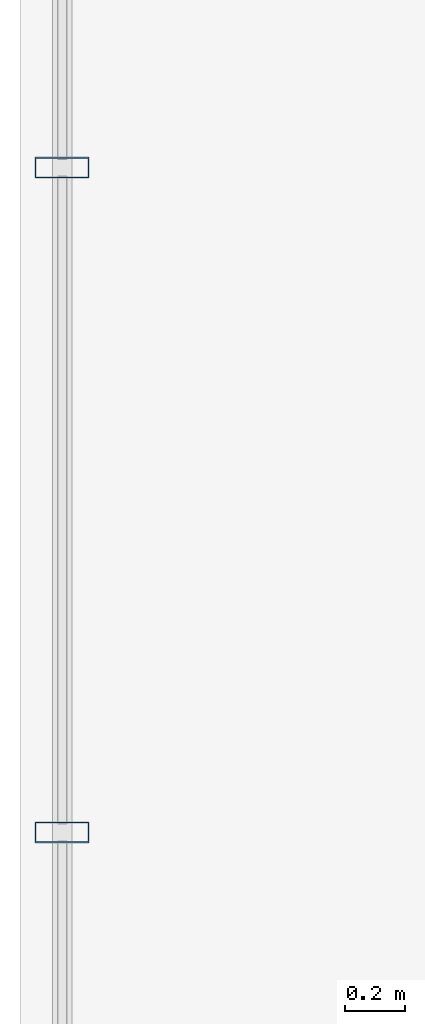
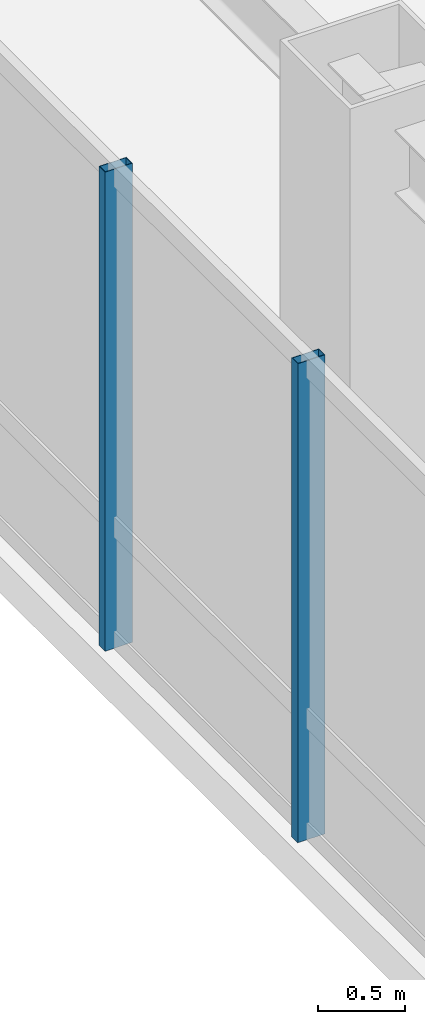
# One storey, part 6 of 26: 2 members, 1 element without a shape of its own.
"""IFC4 building model written with IfcOpenShell, lengths in metres."""

from ifc_helpers import new_model, si_unit, direction, frame, origin, origin_2d, place, context, subcontext, project, spatial, hollow_rectangle, extrude, material, layer, layer_set, material_profile, profile_set, type_object, element, aggregate, save


model = new_model("IFC4")

# Units and contexts
model_context = context("Model", 3, precision=1e-05, world=origin(), true_north=direction((0.0, 1.0)))
body_context = subcontext(model_context, "Body", "Model", "MODEL_VIEW")
ifc_project = project(units=[si_unit("LENGTHUNIT", "METRE"), si_unit("AREAUNIT", "SQUARE_METRE"), si_unit("VOLUMEUNIT", "CUBIC_METRE"), si_unit("PLANEANGLEUNIT", "RADIAN"), si_unit("MASSUNIT", "GRAM", prefix="KILO")], contexts=[model_context])

# Site, building, storey
site_placement = place(None, origin())
site = spatial("IfcSite", under=ifc_project, at=site_placement, CompositionType="ELEMENT")
building_placement = place(site_placement, origin())
building = spatial("IfcBuilding", under=site, at=building_placement, Name="Hatsunagi Terrace Concourse", CompositionType="ELEMENT")
storey_placement = place(building_placement, frame((0.0, 0.0, 152.85009765625)))
storey = spatial("IfcBuildingStorey", under=building, at=storey_placement, Name="L40", CompositionType="ELEMENT", Elevation=152.85009765625)

# Curtain wall, members
ifc_material_1 = material(Name="Anodised Aluminium Alloy 6063-T5", Category="aluminium")
ifc_layer = layer(ifc_material_1, 0.199951171875)
ifc_layer_set = layer_set([ifc_layer], Name="OfficeZone1_CW03")
curtain_wall_type = type_object("IfcCurtainWallType", Name="OfficeZone1_CW03", PredefinedType="NOTDEFINED", material=ifc_layer_set)
curtain_wall_placement = place(storey_placement, origin())
curtain_wall = element("IfcCurtainWall", 1, at=curtain_wall_placement, inside=storey, type_object=curtain_wall_type, Name="Unitised Curtain Wall CW-03 CW-L40-09", PredefinedType="NOTDEFINED")
ifc_material_2 = material(Name="Anodised Aluminium Alloy 6063-T5", Category="aluminium")
ifc_material_profile = material_profile(ifc_material_2, hollow_rectangle(XDim=0.070068359375, YDim=0.179931640625, WallThickness=0.00390625, at=origin_2d()), Name="ALU-MUL-180x70x4")
ifc_profile_set = profile_set([ifc_material_profile], Name="Anodised Aluminium Alloy 6063-T5")
member_type = type_object("IfcMemberType", Name="CurtainWallMullion_180x70", PredefinedType="MULLION", material=ifc_profile_set)
member_1_placement = place(storey_placement, frame((9.739990234375, 34.69189453125, 0.0), z_axis=(0.0, 0.0, 1.0), x_axis=(0.0, 1.0, 0.0)))
member_1 = element("IfcMember", 2, at=member_1_placement, type_object=member_type, Name="Curtain Wall Mullion MUL-02", PredefinedType="MULLION", context=body_context, shape_type="SweptSolid", body=[
    extrude(hollow_rectangle(XDim=0.070068359375, YDim=0.179931640625, WallThickness=0.00390625, at=origin_2d()), origin(), (0.0, 0.0, 1.0), 3.349853515625),
])
member_2_placement = place(storey_placement, frame((9.739990234375, 36.89990234375, 0.0), z_axis=(0.0, 0.0, 1.0), x_axis=(0.0, 1.0, 0.0)))
member_2 = element("IfcMember", 3, at=member_2_placement, type_object=member_type, Name="Curtain Wall Mullion MUL-02", PredefinedType="MULLION", context=body_context, shape_type="SweptSolid", body=[
    extrude(hollow_rectangle(XDim=0.070068359375, YDim=0.179931640625, WallThickness=0.00390625, at=origin_2d()), origin(), (0.0, 0.0, 1.0), 3.349853515625),
])
aggregate(curtain_wall, [member_1, member_2])

save(model, "model.ifc")
